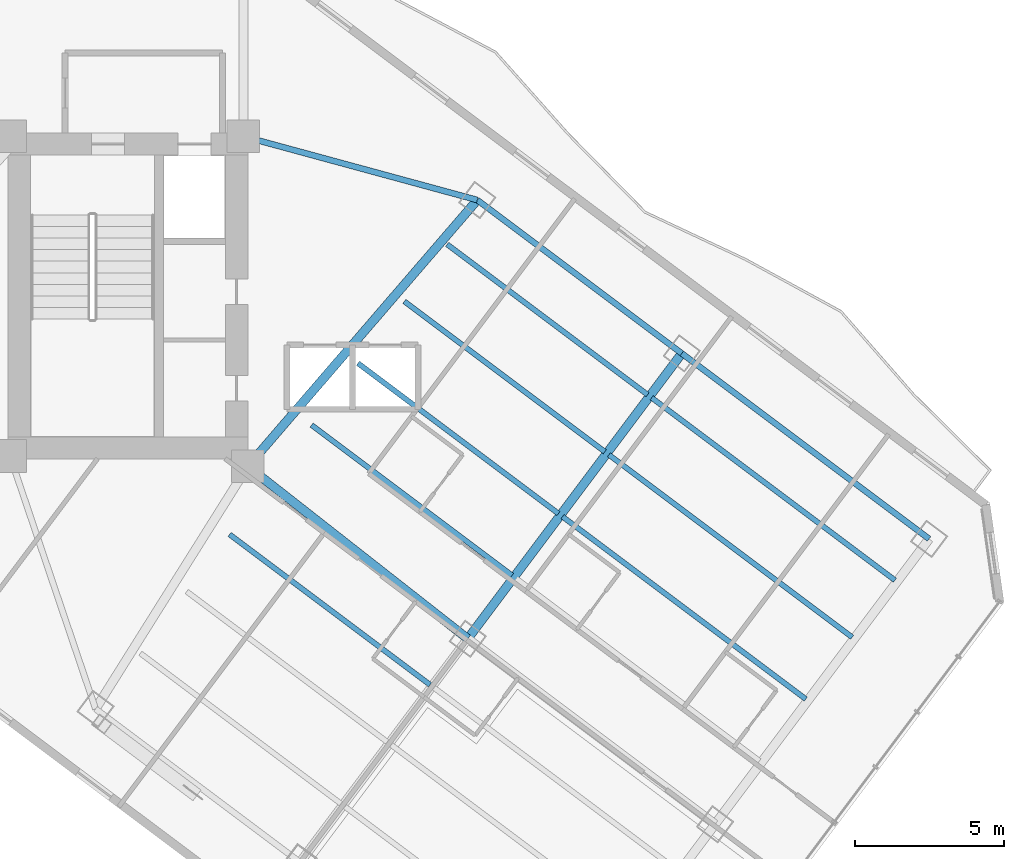
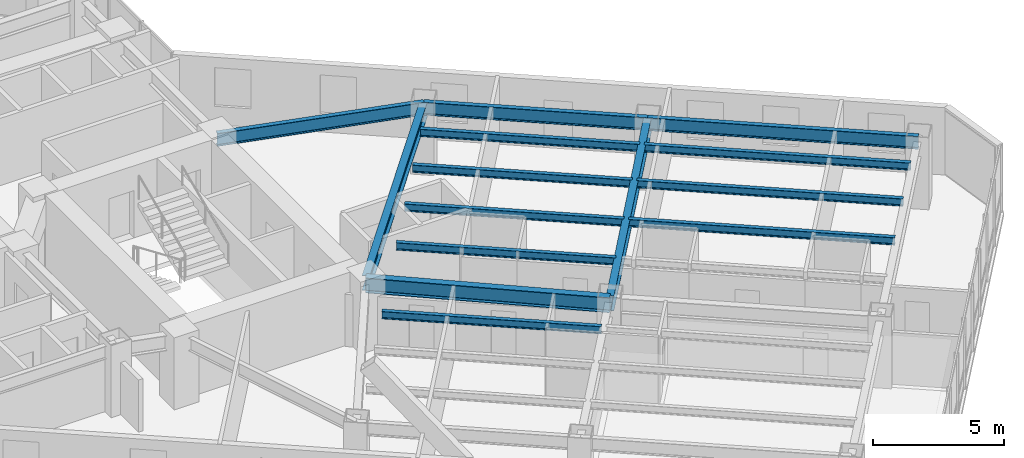
# One storey, part 11 of 31: 14 beams.
"""IFC4 building model written with IfcOpenShell, lengths in metres."""

from ifc_helpers import new_model, si_unit, direction, frame, origin, origin_2d, place, context, subcontext, project, spatial, i_section, extrude, material, material_profile, profile_set, type_object, element, save


model = new_model("IFC4")

# Units and contexts
model_context = context("Model", 3, precision=1e-05, world=origin(), true_north=direction((0.0, 1.0)))
body_context = subcontext(model_context, "Body", "Model", "MODEL_VIEW")
ifc_project = project(units=[si_unit("LENGTHUNIT", "METRE"), si_unit("AREAUNIT", "SQUARE_METRE"), si_unit("VOLUMEUNIT", "CUBIC_METRE"), si_unit("PLANEANGLEUNIT", "RADIAN"), si_unit("MASSUNIT", "GRAM", prefix="KILO")], contexts=[model_context])

# Site, building, storey
site_placement = place(None, origin())
site = spatial("IfcSite", under=ifc_project, at=site_placement, CompositionType="ELEMENT")
building_placement = place(site_placement, origin())
building = spatial("IfcBuilding", under=site, at=building_placement, Name="Hatsunagi Terrace Concourse", CompositionType="ELEMENT")
storey_placement = place(building_placement, frame((0.0, 0.0, 77.949951171875)))
storey = spatial("IfcBuildingStorey", under=building, at=storey_placement, Name="L20", CompositionType="ELEMENT", Elevation=77.949951171875)

# Beams
ifc_material_1 = material(Name="Steel SN490B", Category="steel")
ifc_material_profile_1 = material_profile(ifc_material_1, i_section(OverallWidth=0.300048828125, OverallDepth=0.699951171875, WebThickness=0.012939453125, FlangeThickness=0.02392578125, FilletRadius=0.02197265625, at=origin_2d()), Name="H-700x300x13x24")
ifc_profile_set_1 = profile_set([ifc_material_profile_1], Name="Steel SN490B")
beam_type_1 = type_object("IfcBeamType", Name="HotelFloorGirder_H_700x300", PredefinedType="BEAM", material=ifc_profile_set_1)
beam_1_placement = place(storey_placement, frame((43.800048828125, 24.199951171875, 2.780029296875), z_axis=(0.652739101421, 0.757582777969, 0.0), x_axis=(-0.757582777969, 0.652739101421, 0.0)))
element("IfcBeam", 1, at=beam_1_placement, inside=storey, type_object=beam_type_1, Name="Beam G-04 BM-L20-SET-1B", PredefinedType="BEAM", context=body_context, shape_type="SweptSolid", body=[
    extrude(i_section(OverallWidth=0.300048828125, OverallDepth=0.699951171875, WebThickness=0.012939453125, FlangeThickness=0.02392578125, FilletRadius=0.02197265625, at=origin_2d()), origin(), (0.0, 0.0, 1.0), 11.8271484375),
])
beam_2_placement = place(storey_placement, frame((43.800048828125, 24.199951171875, 2.780029296875), z_axis=(0.787049441068, -0.616889923175, 0.0), x_axis=(0.616889923175, 0.787049441068, 0.0)))
element("IfcBeam", 2, at=beam_2_placement, inside=storey, type_object=beam_type_1, Name="Beam G-04 BM-L20-SE-M2", PredefinedType="BEAM", context=body_context, shape_type="SweptSolid", body=[
    extrude(i_section(OverallWidth=0.300048828125, OverallDepth=0.699951171875, WebThickness=0.012939453125, FlangeThickness=0.02392578125, FilletRadius=0.02197265625, at=origin_2d()), origin(), (0.0, 0.0, 1.0), 9.402099609375),
])
beam_3_placement = place(storey_placement, frame((51.199951171875, 18.39990234375, 2.780029296875), z_axis=(0.59999348959, 0.800004882766, 0.0), x_axis=(-0.800004882766, 0.59999348959, 0.0)))
element("IfcBeam", 3, at=beam_3_placement, inside=storey, type_object=beam_type_1, Name="Beam G-04 BM-L20-SET-2B", PredefinedType="BEAM", context=body_context, shape_type="SweptSolid", body=[
    extrude(i_section(OverallWidth=0.300048828125, OverallDepth=0.699951171875, WebThickness=0.012939453125, FlangeThickness=0.02392578125, FilletRadius=0.02197265625, at=origin_2d()), origin(), (0.0, 0.0, 1.0), 12.0),
])
ifc_material_2 = material(Name="Steel SN490B", Category="steel")
ifc_material_profile_2 = material_profile(ifc_material_2, i_section(OverallWidth=0.175048828125, OverallDepth=0.35009765625, WebThickness=0.007080078125, FlangeThickness=0.010986328125, FilletRadius=0.012939453125, at=origin_2d()), Name="H-350x175x7x11")
ifc_profile_set_2 = profile_set([ifc_material_profile_2], Name="Steel SN490B")
beam_type_2 = type_object("IfcBeamType", Name="HotelJoist_H_350x175", PredefinedType="JOIST", material=ifc_profile_set_2)
for number, where, z_axis, x_axis, name in (
    (4, (43.18798828125, 21.908935546875, 2.955078125), (0.800003475366, -0.59999536615, 0.0), (0.59999536615, 0.800003475366, 0.0), "Beam J-02 J-L20-SE-2-96"),
    (5, (45.947998046875, 25.589111328125, 2.955078125), (0.799989573921, -0.600013901187, 0.0), (0.600013901187, 0.799989573921, 0.0), "Beam J-02 J-L20-SE-2-142"),
    (6, (47.508056640625, 27.6689453125, 2.955078125), (0.800003475366, -0.59999536615, 0.0), (0.59999536615, 0.800003475366, 0.0), "Beam J-02 J-L20-SE-2-168"),
    (7, (49.068115234375, 29.7490234375, 2.955078125), (0.799989573921, -0.600013901187, 0.0), (0.600013901187, 0.799989573921, 0.0), "Beam J-02 J-L20-SE-2-194"),
    (8, (50.508056640625, 31.6689453125, 2.955078125), (0.800003475366, -0.59999536615, 0.0), (0.59999536615, 0.800003475366, 0.0), "Beam J-02 J-L20-SE-2-218"),
):
    element("IfcBeam", number, at=place(storey_placement, frame(where, z_axis=z_axis, x_axis=x_axis)), inside=storey, type_object=beam_type_2, Name=name, PredefinedType="JOIST", context=body_context, shape_type="SweptSolid", body=[
        extrude(i_section(OverallWidth=0.175048828125, OverallDepth=0.35009765625, WebThickness=0.007080078125, FlangeThickness=0.010986328125, FilletRadius=0.012939453125, at=origin_2d()), origin(), (0.0, 0.0, 1.0), 8.429931640625),
    ])
beam_4_placement = place(storey_placement, frame((54.387939453125, 22.509033203125, 2.955078125), z_axis=(0.800005727586, -0.599992363142, 0.0), x_axis=(0.599992363142, 0.800005727586, 0.0)))
element("IfcBeam", 9, at=beam_4_placement, inside=storey, type_object=beam_type_2, Name="Beam J-02 J-L20-SE-3-168", PredefinedType="JOIST", context=body_context, shape_type="SweptSolid", body=[
    extrude(i_section(OverallWidth=0.175048828125, OverallDepth=0.35009765625, WebThickness=0.007080078125, FlangeThickness=0.010986328125, FilletRadius=0.012939453125, at=origin_2d()), origin(), (0.0, 0.0, 1.0), 10.22998046875),
])
beam_5_placement = place(storey_placement, frame((55.947998046875, 24.589111328125, 2.955078125), z_axis=(0.799994272423, -0.600007636694, 0.0), x_axis=(0.600007636694, 0.799994272423, 0.0)))
element("IfcBeam", 10, at=beam_5_placement, inside=storey, type_object=beam_type_2, Name="Beam J-02 J-L20-SE-3-194", PredefinedType="JOIST", context=body_context, shape_type="SweptSolid", body=[
    extrude(i_section(OverallWidth=0.175048828125, OverallDepth=0.35009765625, WebThickness=0.007080078125, FlangeThickness=0.010986328125, FilletRadius=0.012939453125, at=origin_2d()), origin(), (0.0, 0.0, 1.0), 10.230224609375),
])
beam_6_placement = place(storey_placement, frame((57.387939453125, 26.509033203125, 2.955078125), z_axis=(0.800005727586, -0.599992363142, 0.0), x_axis=(0.599992363142, 0.800005727586, 0.0)))
element("IfcBeam", 11, at=beam_6_placement, inside=storey, type_object=beam_type_2, Name="Beam J-02 J-L20-SE-3-218", PredefinedType="JOIST", context=body_context, shape_type="SweptSolid", body=[
    extrude(i_section(OverallWidth=0.175048828125, OverallDepth=0.35009765625, WebThickness=0.007080078125, FlangeThickness=0.010986328125, FilletRadius=0.012939453125, at=origin_2d()), origin(), (0.0, 0.0, 1.0), 10.22998046875),
])
ifc_material_3 = material(Name="Steel SN490B", Category="steel")
ifc_material_profile_3 = material_profile(ifc_material_3, i_section(OverallWidth=0.199951171875, OverallDepth=0.60009765625, WebThickness=0.010986328125, FlangeThickness=0.01708984375, FilletRadius=0.01806640625, at=origin_2d()), Name="H-600x200x11x17")
ifc_profile_set_3 = profile_set([ifc_material_profile_3], Name="Steel SN490B")
beam_type_3 = type_object("IfcBeamType", Name="PerimeterSpandrel_H_600x200", PredefinedType="SPANDREL", material=ifc_profile_set_3)
beam_7_placement = place(storey_placement, frame((43.64990234375, 35.300048828125, 2.830078125), z_axis=(0.964958359286, -0.262403057994, 0.0), x_axis=(0.262403057994, 0.964958359286, 0.0)))
element("IfcBeam", 12, at=beam_7_placement, inside=storey, type_object=beam_type_3, Name="Beam SP-01 BM-L20-SE-NE0", PredefinedType="SPANDREL", context=body_context, shape_type="SweptSolid", body=[
    extrude(i_section(OverallWidth=0.199951171875, OverallDepth=0.60009765625, WebThickness=0.010986328125, FlangeThickness=0.01708984375, FilletRadius=0.01806640625, at=origin_2d()), origin(), (0.0, 0.0, 1.0), 8.156005859375),
])
beam_8_placement = place(storey_placement, frame((51.52001953125, 33.159912109375, 2.830078125), z_axis=(0.8, -0.6, 0.0), x_axis=(0.6, 0.8, 0.0)))
element("IfcBeam", 13, at=beam_8_placement, inside=storey, type_object=beam_type_3, Name="Beam SP-01 BM-L20-SE-NE2", PredefinedType="SPANDREL", context=body_context, shape_type="SweptSolid", body=[
    extrude(i_section(OverallWidth=0.199951171875, OverallDepth=0.60009765625, WebThickness=0.010986328125, FlangeThickness=0.01708984375, FilletRadius=0.01806640625, at=origin_2d()), origin(), (0.0, 0.0, 1.0), 8.599853515625),
])
beam_9_placement = place(storey_placement, frame((58.39990234375, 28.0, 2.830078125), z_axis=(0.800002816985, -0.599996244001, 0.0), x_axis=(0.599996244001, 0.800002816985, 0.0)))
element("IfcBeam", 14, at=beam_9_placement, inside=storey, type_object=beam_type_3, Name="Beam SP-01 BM-L20-SE-NE3", PredefinedType="SPANDREL", context=body_context, shape_type="SweptSolid", body=[
    extrude(i_section(OverallWidth=0.199951171875, OverallDepth=0.60009765625, WebThickness=0.010986328125, FlangeThickness=0.01708984375, FilletRadius=0.01806640625, at=origin_2d()), origin(), (0.0, 0.0, 1.0), 10.400146484375),
])

save(model, "model.ifc")
